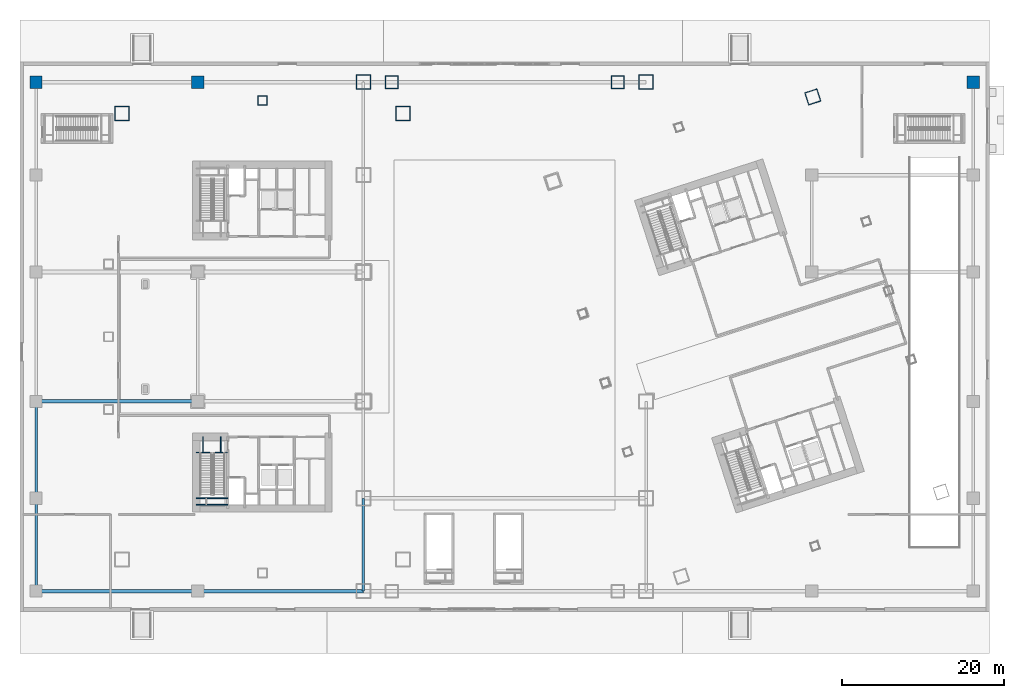
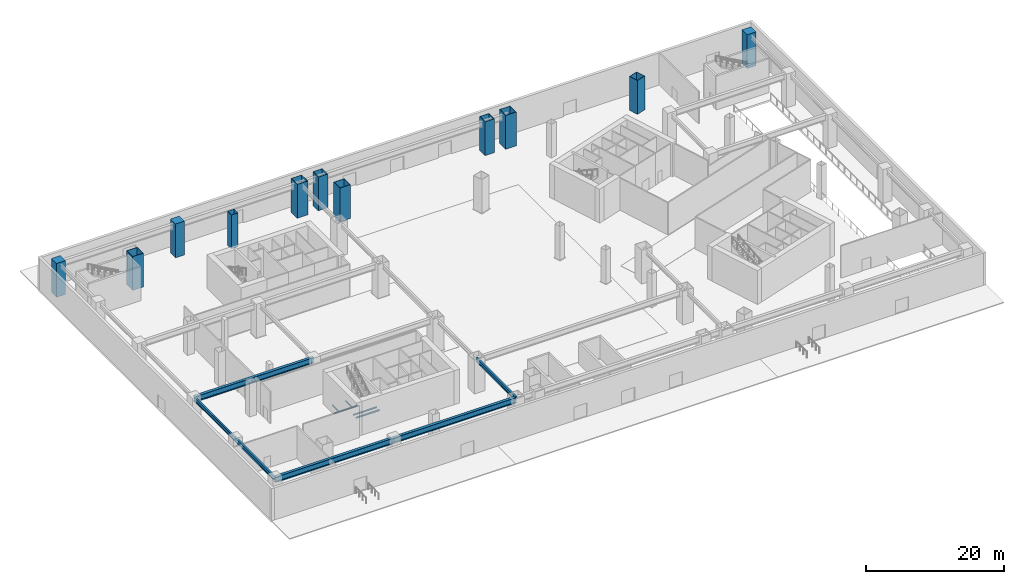
# One storey, part 3 of 31: 11 beams, 11 columns.
"""IFC4 building model written with IfcOpenShell, lengths in metres."""

import ifcopenshell
import ifcopenshell.guid

model = None  # the IFC model being written
_history = None  # IfcOwnerHistory: only IFC2X3 demands one
_inside = {}  # id of a spatial element -> (the spatial element, [elements in it])
_under = {}  # id of a project, library or spatial element -> (it, [spatial elements below it])
_declared = {}  # id of a project -> (the project, [libraries it declares])
_typed = {}  # id of a type object -> (the type object, [elements of that type])
_made_of = {}  # id of a material, layer set ... -> (it, [elements and type objects made of it])


def new_model(schema):
    """Start an empty IFC model of exactly this schema.

    Asked for "IFC4X3", IfcOpenShell would pick the latest addendum, in which some entities
    have other attributes; the version numbers below select the first issue.
    IFC2X3 requires an IfcOwnerHistory on every rooted entity: one is made here for all.
    """
    global model, _history
    if schema == "IFC4X3":
        model = ifcopenshell.file(schema_version=(4, 3, 0, 0))
    else:
        model = ifcopenshell.file(schema=schema)
    _inside.clear()
    _under.clear()
    _declared.clear()
    _typed.clear()
    _made_of.clear()
    _history = None
    if model.schema == "IFC2X3":
        org = make("IfcOrganization", Name="unknown")
        user = make(
            "IfcPersonAndOrganization",
            ThePerson=make("IfcPerson", FamilyName="unknown"),
            TheOrganization=org,
        )
        app = make(
            "IfcApplication",
            ApplicationDeveloper=org,
            Version="unknown",
            ApplicationFullName="unknown",
            ApplicationIdentifier="unknown",
        )
        _history = make(
            "IfcOwnerHistory",
            OwningUser=user,
            OwningApplication=app,
            ChangeAction="ADDED",
            CreationDate=0,
        )
    return model


def make(cls, **values):
    """One entity of the class cls with the attributes given. An attribute that is None is left unset."""
    return model.create_entity(
        cls, **{name: value for name, value in values.items() if value is not None}
    )


def rooted(cls, **values):
    """An entity with a GlobalId (a new one), such as an element, a storey or a relation."""
    return make(cls, GlobalId=ifcopenshell.guid.new(), OwnerHistory=_history, **values)


def si_unit(unit_type, name, prefix=None):
    """IfcSIUnit, for example si_unit("LENGTHUNIT", "METRE", prefix="MILLI")."""
    return make("IfcSIUnit", UnitType=unit_type, Prefix=prefix, Name=name)


def assignment(units):
    """IfcUnitAssignment: the units of a project."""
    return None if units is None else make("IfcUnitAssignment", Units=units)


def point(xyz):
    """IfcCartesianPoint."""
    return None if xyz is None else make("IfcCartesianPoint", Coordinates=xyz)


def direction(xyz):
    """IfcDirection."""
    return None if xyz is None else make("IfcDirection", DirectionRatios=xyz)


def frame(location, z_axis=None, x_axis=None):
    """IfcAxis2Placement3D, a coordinate frame: its origin and axes. An axis left out is left unset."""
    return make(
        "IfcAxis2Placement3D",
        Location=point(location),
        Axis=direction(z_axis),
        RefDirection=direction(x_axis),
    )


def frame_2d(location, x_axis=None):
    """IfcAxis2Placement2D, a coordinate frame in the plane: its origin and x axis."""
    return make(
        "IfcAxis2Placement2D", Location=point(location), RefDirection=direction(x_axis)
    )


def origin():
    """The frame at (0, 0, 0) with its axes left unset."""
    return frame((0.0, 0.0, 0.0))


def origin_2d():
    """The frame at (0, 0) in the plane with its x axis left unset."""
    return frame_2d((0.0, 0.0))


def place(relative_to, where):
    """IfcLocalPlacement: puts the frame where relative to a parent placement (None: the world)."""
    return make(
        "IfcLocalPlacement", PlacementRelTo=relative_to, RelativePlacement=where
    )


def context(
    kind, dimensions, precision=None, world=None, true_north=None, identifier=None
):
    """IfcGeometricRepresentationContext, for example the 3D "Model" context."""
    return make(
        "IfcGeometricRepresentationContext",
        ContextIdentifier=identifier,
        ContextType=kind,
        CoordinateSpaceDimension=dimensions,
        Precision=precision,
        WorldCoordinateSystem=world,
        TrueNorth=true_north,
    )


def subcontext(parent, identifier, kind, view, scale=None):
    """IfcGeometricRepresentationSubContext, for example "Body" below "Model"."""
    return make(
        "IfcGeometricRepresentationSubContext",
        ContextIdentifier=identifier,
        ContextType=kind,
        ParentContext=parent,
        TargetScale=scale,
        TargetView=view,
    )


def project(units=None, contexts=None):
    """IfcProject with its units and contexts."""
    return rooted(
        "IfcProject",
        Name="project",
        RepresentationContexts=contexts,
        UnitsInContext=assignment(units),
    )


def spatial(cls, under=None, at=None, **own):
    """A site, building, storey or space (cls), placed at a placement, below another one or the project."""
    s = rooted(cls, ObjectPlacement=at, **own)
    if under is not None:
        _under.setdefault(under.id(), (under, []))[1].append(s)
    return s


def profile(cls, at=None, kind="AREA", **sizes):
    """A parametric profile (cls). Its sizes go by their IFC names, for example OverallWidth=200.0."""
    return make(cls, ProfileType=kind, Position=at, **sizes)


def rectangle(**sizes):
    """IfcRectangleProfileDef."""
    return profile("IfcRectangleProfileDef", **sizes)


def hollow_rectangle(**sizes):
    """IfcRectangleHollowProfileDef."""
    return profile("IfcRectangleHollowProfileDef", **sizes)


def i_section(**sizes):
    """IfcIShapeProfileDef."""
    return profile("IfcIShapeProfileDef", **sizes)


def extrude(swept, where, along, depth):
    """IfcExtrudedAreaSolid: the profile swept, set in the frame where, extruded along a direction by depth."""
    return make(
        "IfcExtrudedAreaSolid",
        SweptArea=swept,
        Position=where,
        ExtrudedDirection=direction(along),
        Depth=depth,
    )


def shape(context_of_items, identifier, shape_type, items):
    """IfcShapeRepresentation: the items that make up one representation, for example the "Body"."""
    return make(
        "IfcShapeRepresentation",
        ContextOfItems=context_of_items,
        RepresentationIdentifier=identifier,
        RepresentationType=shape_type,
        Items=items,
    )


def material(Name=None, Category=None):
    """IfcMaterial."""
    return make("IfcMaterial", Name=Name, Category=Category)


def material_profile(
    of_material, cross_section, Name=None, Category=None, Priority=None
):
    """IfcMaterialProfile: a cross section and its material."""
    return make(
        "IfcMaterialProfile",
        Name=Name,
        Material=of_material,
        Profile=cross_section,
        Priority=Priority,
        Category=Category,
    )


def profile_set(profiles, Name=None, composite=None):
    """IfcMaterialProfileSet."""
    return make(
        "IfcMaterialProfileSet",
        Name=Name,
        MaterialProfiles=profiles,
        CompositeProfile=composite,
    )


def made_of(thing, what):
    """Note that an element or type object is made of a material, layer set ...; save() writes the relation."""
    if what is not None:
        _made_of.setdefault(what.id(), (what, []))[1].append(thing)
    return thing


def type_object(cls, material=None, **own):
    """A type object (cls), such as IfcWallType, which elements share."""
    return made_of(rooted(cls, **own), material)


def element(
    cls,
    number,
    at=None,
    inside=None,
    cuts=None,
    type_object=None,
    material=None,
    context=None,
    identifier="Body",
    shape_type=None,
    held_by="IfcProductDefinitionShape",
    body=None,
    shapes=None,
    **own,
):
    """One element of the class cls, such as IfcWall. Its Tag is "e" and its number.

    at: its placement. inside: the storey or other place that contains it. cuts: it is an
    opening in that element (IfcRelVoidsElement). A single representation is given by context,
    identifier, shape_type and body (its items); several are given by shapes. held_by: the class
    of the entity that holds the representations. save() writes the other relations.
    """
    e = rooted(cls, Tag="e%d" % number, ObjectPlacement=at, **own)
    if body is not None:
        shapes = [shape(context, identifier, shape_type, body)]
    if shapes is not None:
        e.Representation = make(held_by, Representations=shapes)
    if inside is not None:
        _inside.setdefault(inside.id(), (inside, []))[1].append(e)
    if cuts is not None:
        rooted(
            "IfcRelVoidsElement", RelatingBuildingElement=cuts, RelatedOpeningElement=e
        )
    if type_object is not None:
        _typed.setdefault(type_object.id(), (type_object, []))[1].append(e)
    return made_of(e, material)


def aggregate(whole, parts):
    """IfcRelAggregates: a whole, such as a stair, and the parts it consists of."""
    return rooted("IfcRelAggregates", RelatingObject=whole, RelatedObjects=parts)


def save(model, path):
    """Write the relations noted so far, then the file.

    IfcRelAggregates (storeys below a building ...), IfcRelContainedInSpatialStructure (elements
    in a storey), IfcRelDefinesByType, IfcRelAssociatesMaterial and IfcRelDeclares: one each for
    every whole, place, type object, material and project.
    """
    for whole, parts in _under.values():
        aggregate(whole, parts)
    for where, things in _inside.values():
        rooted(
            "IfcRelContainedInSpatialStructure",
            RelatedElements=things,
            RelatingStructure=where,
        )
    for kind, things in _typed.values():
        rooted("IfcRelDefinesByType", RelatedObjects=things, RelatingType=kind)
    for what, things in _made_of.values():
        rooted("IfcRelAssociatesMaterial", RelatedObjects=things, RelatingMaterial=what)
    for by, libraries in _declared.values():
        rooted("IfcRelDeclares", RelatingContext=by, RelatedDefinitions=libraries)
    model.write(path)


model = new_model("IFC4")

# Units and contexts
model_context = context("Model", 3, precision=1e-05, world=origin(), true_north=direction((0.0, 1.0)))
body_context = subcontext(model_context, "Body", "Model", "MODEL_VIEW")
ifc_project = project(units=[si_unit("LENGTHUNIT", "METRE"), si_unit("AREAUNIT", "SQUARE_METRE"), si_unit("VOLUMEUNIT", "CUBIC_METRE"), si_unit("PLANEANGLEUNIT", "RADIAN"), si_unit("MASSUNIT", "GRAM", prefix="KILO")], contexts=[model_context])

# Site, building, storey
site_placement = place(None, origin())
site = spatial("IfcSite", under=ifc_project, at=site_placement, CompositionType="ELEMENT")
building_placement = place(site_placement, origin())
building = spatial("IfcBuilding", under=site, at=building_placement, Name="Qiaolan Cultural Towers", CompositionType="ELEMENT")
storey_placement = place(building_placement, origin())
storey = spatial("IfcBuildingStorey", under=building, at=storey_placement, Name="L00", CompositionType="ELEMENT", Elevation=0.0)

# Columns
ifc_material_1 = material(Name="Steel Q390GJB", Category="steel")
ifc_material_profile_1 = material_profile(ifc_material_1, hollow_rectangle(XDim=1.14990234375, YDim=1.14990234375, WallThickness=0.0400390625, at=origin_2d()), Name="BOX1150x1150x40")
ifc_profile_set_1 = profile_set([ifc_material_profile_1], Name="Steel Q390GJB")
column_type_1 = type_object("IfcColumnType", Name="COL-BOX1150x1150x40", PredefinedType="COLUMN", material=ifc_profile_set_1)
column_placement = place(storey_placement, frame((30.0, 63.25, 0.0), z_axis=(0.0, 0.0, 1.0), x_axis=(1.0, 0.0, 0.0)))
element("IfcColumn", 1, at=column_placement, inside=storey, type_object=column_type_1, Name="L00 T1 Column PC-N0", PredefinedType="COLUMN", context=body_context, shape_type="SweptSolid", body=[
    extrude(hollow_rectangle(XDim=1.14990234375, YDim=1.14990234375, WallThickness=0.0400390625, at=origin_2d()), origin(), (0.0, 0.0, 1.0), 6.0009765625),
])
ifc_material_2 = material(Name="Steel Q420GJB", Category="steel")
ifc_material_profile_2 = material_profile(ifc_material_2, hollow_rectangle(XDim=1.60009765625, YDim=1.60009765625, WallThickness=0.054931640625, at=origin_2d()), Name="BOX1600x1600x55")
ifc_profile_set_2 = profile_set([ifc_material_profile_2], Name="Steel Q420GJB")
column_type_2 = type_object("IfcColumnType", Name="COL-BOX1600x1600x55", PredefinedType="COLUMN", material=ifc_profile_set_2)
for number, where, z_axis, x_axis, name in (
    (2, (46.0, 65.5, 0.0), (0.0, 0.0, 1.0), (1.0, 0.0, 0.0), "L00 Podium Column PC-MID-46-65"),
    (3, (74.0, 65.5, 0.0), (0.0, 0.0, 1.0), (1.0, 0.0, 0.0), "L00 Podium Column PC-MID-74-65"),
    (4, (98.137451171875, 63.67724609375, 0.0), (0.0, 0.0, 1.0), (0.951056516295, 0.309016994375, 0.0), "L00 T2 Column MC-NE"),
):
    element("IfcColumn", number, at=place(storey_placement, frame(where, z_axis=z_axis, x_axis=x_axis)), inside=storey, type_object=column_type_2, Name=name, PredefinedType="COLUMN", context=body_context, shape_type="SweptSolid", body=[
        extrude(hollow_rectangle(XDim=1.60009765625, YDim=1.60009765625, WallThickness=0.054931640625, at=origin_2d()), origin(), (0.0, 0.0, 1.0), 6.0009765625),
    ])
ifc_material_3 = material(Name="Steel Q420GJB", Category="steel")
ifc_material_profile_3 = material_profile(ifc_material_3, hollow_rectangle(XDim=1.800048828125, YDim=1.800048828125, WallThickness=0.06005859375, at=origin_2d()), Name="BOX1800x1800x60")
ifc_profile_set_3 = profile_set([ifc_material_profile_3], Name="Steel Q420GJB")
column_type_3 = type_object("IfcColumnType", Name="COL-BOX1800x1800x60", PredefinedType="COLUMN", material=ifc_profile_set_3)
for number, where, z_axis, x_axis, name in (
    (5, (42.5, 65.5, 0.0), (0.0, 0.0, 1.0), (1.0, 0.0, 0.0), "L00 Podium Column PC-42-65"),
    (6, (77.5, 65.5, 0.0), (0.0, 0.0, 1.0), (1.0, 0.0, 0.0), "L00 Podium Column PC-77-65"),
    (7, (47.39990234375, 61.60009765625, 0.0), (0.0, 0.0, 1.0), (1.0, 0.0, 0.0), "L00 T1 Column MC-NE"),
    (8, (12.60009765625, 61.60009765625, 0.0), (0.0, 0.0, 1.0), (1.0, 0.0, 0.0), "L00 T1 Column MC-NW"),
):
    element("IfcColumn", number, at=place(storey_placement, frame(where, z_axis=z_axis, x_axis=x_axis)), inside=storey, type_object=column_type_3, Name=name, PredefinedType="COLUMN", context=body_context, shape_type="SweptSolid", body=[
        extrude(hollow_rectangle(XDim=1.800048828125, YDim=1.800048828125, WallThickness=0.06005859375, at=origin_2d()), origin(), (0.0, 0.0, 1.0), 6.0009765625),
    ])
ifc_material_4 = material(Name="Concrete C60", Category="concrete")
ifc_material_profile_4 = material_profile(ifc_material_4, rectangle(XDim=1.5, YDim=1.5, at=origin_2d()), Name="RC1500x1500")
ifc_profile_set_4 = profile_set([ifc_material_profile_4], Name="Concrete C60")
column_type_4 = type_object("IfcColumnType", Name="COL-RC1500x1500", PredefinedType="COLUMN", material=ifc_profile_set_4)
for number, where, z_axis, x_axis, name in (
    (9, (2.0, 65.5, 0.0), (0.0, 0.0, 1.0), (1.0, 0.0, 0.0), "L00 Podium Column PC-2-65"),
    (10, (22.0, 65.5, 0.0), (0.0, 0.0, 1.0), (1.0, 0.0, 0.0), "L00 Podium Column PC-22-65"),
    (11, (118.0, 65.5, 0.0), (0.0, 0.0, 1.0), (1.0, 0.0, 0.0), "L00 Podium Column PC-118-65"),
):
    element("IfcColumn", number, at=place(storey_placement, frame(where, z_axis=z_axis, x_axis=x_axis)), inside=storey, type_object=column_type_4, Name=name, PredefinedType="COLUMN", context=body_context, shape_type="SweptSolid", body=[
        extrude(rectangle(XDim=1.5, YDim=1.5, at=origin_2d()), origin(), (0.0, 0.0, 1.0), 6.0009765625),
    ])

# Beams
ifc_material_5 = material(Name="Steel Q390GJB", Category="steel")
ifc_material_profile_5 = material_profile(ifc_material_5, i_section(OverallWidth=0.449951171875, OverallDepth=1.0, WebThickness=0.02392578125, FlangeThickness=0.0400390625, at=origin_2d()), Name="BH1000x450x24x40")
ifc_profile_set_5 = profile_set([ifc_material_profile_5], Name="Steel Q390GJB")
beam_type_1 = type_object("IfcBeamType", Name="BM-BH1000x450x24x40", PredefinedType="BEAM", material=ifc_profile_set_5)
beam_1_placement = place(storey_placement, frame((2.0, 2.5, 5.199951171875), z_axis=(1.0, 0.0, 0.0), x_axis=(0.0, 1.0, 0.0)))
element("IfcBeam", 12, at=beam_1_placement, inside=storey, type_object=beam_type_1, Name="L00 Podium Primary Girder Y=2.5", PredefinedType="BEAM", context=body_context, shape_type="SweptSolid", body=[
    extrude(i_section(OverallWidth=0.449951171875, OverallDepth=1.0, WebThickness=0.02392578125, FlangeThickness=0.0400390625, at=origin_2d()), origin(), (0.0, 0.0, 1.0), 20.0),
])
beam_2_placement = place(storey_placement, frame((22.0, 2.5, 5.199951171875), z_axis=(1.0, 0.0, 0.0), x_axis=(0.0, 1.0, 0.0)))
element("IfcBeam", 13, at=beam_2_placement, inside=storey, type_object=beam_type_1, Name="L00 Podium Primary Girder Y=2.5", PredefinedType="BEAM", context=body_context, shape_type="SweptSolid", body=[
    extrude(i_section(OverallWidth=0.449951171875, OverallDepth=1.0, WebThickness=0.02392578125, FlangeThickness=0.0400390625, at=origin_2d()), origin(), (0.0, 0.0, 1.0), 20.5),
])
beam_3_placement = place(storey_placement, frame((2.0, 26.0, 5.199951171875), z_axis=(1.0, 0.0, 0.0), x_axis=(0.0, 1.0, 0.0)))
element("IfcBeam", 14, at=beam_3_placement, inside=storey, type_object=beam_type_1, Name="L00 Podium Primary Girder Y=26.0", PredefinedType="BEAM", context=body_context, shape_type="SweptSolid", body=[
    extrude(i_section(OverallWidth=0.449951171875, OverallDepth=1.0, WebThickness=0.02392578125, FlangeThickness=0.0400390625, at=origin_2d()), origin(), (0.0, 0.0, 1.0), 20.0),
])
ifc_material_6 = material(Name="Steel Q355B", Category="steel")
ifc_material_profile_6 = material_profile(ifc_material_6, i_section(OverallWidth=0.300048828125, OverallDepth=0.699951171875, WebThickness=0.012939453125, FlangeThickness=0.02392578125, at=origin_2d()), Name="HN700x300x13x24")
ifc_profile_set_6 = profile_set([ifc_material_profile_6], Name="Steel Q355B")
beam_type_2 = type_object("IfcBeamType", Name="BM-HN700x300x13x24", PredefinedType="BEAM", material=ifc_profile_set_6)
beam_4_placement = place(storey_placement, frame((2.0, 2.5, 5.35009765625), z_axis=(0.0, 1.0, 0.0), x_axis=(-1.0, 0.0, 0.0)))
element("IfcBeam", 15, at=beam_4_placement, inside=storey, type_object=beam_type_2, Name="L00 Podium Transverse Beam X=2.0", PredefinedType="BEAM", context=body_context, shape_type="SweptSolid", body=[
    extrude(i_section(OverallWidth=0.300048828125, OverallDepth=0.699951171875, WebThickness=0.012939453125, FlangeThickness=0.02392578125, at=origin_2d()), origin(), (0.0, 0.0, 1.0), 11.5),
])
beam_5_placement = place(storey_placement, frame((2.0, 14.0, 5.35009765625), z_axis=(0.0, 1.0, 0.0), x_axis=(-1.0, 0.0, 0.0)))
element("IfcBeam", 16, at=beam_5_placement, inside=storey, type_object=beam_type_2, Name="L00 Podium Transverse Beam X=2.0", PredefinedType="BEAM", context=body_context, shape_type="SweptSolid", body=[
    extrude(i_section(OverallWidth=0.300048828125, OverallDepth=0.699951171875, WebThickness=0.012939453125, FlangeThickness=0.02392578125, at=origin_2d()), origin(), (0.0, 0.0, 1.0), 12.0),
])
beam_6_placement = place(storey_placement, frame((42.5, 2.5, 5.35009765625), z_axis=(0.0, 1.0, 0.0), x_axis=(-1.0, 0.0, 0.0)))
element("IfcBeam", 17, at=beam_6_placement, inside=storey, type_object=beam_type_2, Name="L00 Podium Transverse Beam X=42.5", PredefinedType="BEAM", context=body_context, shape_type="SweptSolid", body=[
    extrude(i_section(OverallWidth=0.300048828125, OverallDepth=0.699951171875, WebThickness=0.012939453125, FlangeThickness=0.02392578125, at=origin_2d()), origin(), (0.0, 0.0, 1.0), 11.5),
])
ifc_material_7 = material(Name="Steel Q355B", Category="steel")
ifc_material_profile_7 = material_profile(ifc_material_7, i_section(OverallWidth=0.10009765625, OverallDepth=0.199951171875, WebThickness=0.005615234375, FlangeThickness=0.008056640625, at=origin_2d()), Name="HN200x100x5.5x8")
ifc_profile_set_7 = profile_set([ifc_material_profile_7], Name="Steel Q355B")
beam_type_3 = type_object("IfcBeamType", Name="BM-STTRIM-200", PredefinedType="BEAM", material=ifc_profile_set_7)
beam_7_placement = place(storey_placement, frame((21.800048828125, 19.659912109375, -0.4599609375), z_axis=(1.0, 0.0, 0.0), x_axis=(0.0, 1.0, 0.0)))
element("IfcBeam", 18, at=beam_7_placement, inside=storey, type_object=beam_type_3, Name="L00 ST-W1 Floor Landing Header Beam", PredefinedType="BEAM", context=body_context, shape_type="SweptSolid", body=[
    extrude(i_section(OverallWidth=0.10009765625, OverallDepth=0.199951171875, WebThickness=0.005615234375, FlangeThickness=0.008056640625, at=origin_2d()), origin(), (0.0, 0.0, 1.0), 3.919921875),
])
for number, where, z_axis, x_axis, name in (
    (19, (22.64990234375, 21.60009765625, -0.4599609375), (0.0, -1.0, 0.0), (1.0, 0.0, 0.0), "L00 ST-W1 Floor Landing Stringer 1"),
    (20, (24.85009765625, 21.60009765625, -0.4599609375), (0.0, -1.0, 0.0), (1.0, 0.0, 0.0), "L00 ST-W1 Floor Landing Stringer 2"),
):
    element("IfcBeam", number, at=place(storey_placement, frame(where, z_axis=z_axis, x_axis=x_axis)), inside=storey, type_object=beam_type_3, Name=name, PredefinedType="BEAM", context=body_context, shape_type="SweptSolid", body=[
        extrude(i_section(OverallWidth=0.10009765625, OverallDepth=0.199951171875, WebThickness=0.005615234375, FlangeThickness=0.008056640625, at=origin_2d()), origin(), (0.0, 0.0, 1.0), 1.940185546875),
    ])
for number, where, z_axis, x_axis, name in (
    (21, (21.800048828125, 14.01123046875, 2.699951171875), (1.0, 0.0, 0.0), (0.0, 1.0, 0.0), "L00 ST-W1 Stair Landing Support Beam 1-1"),
    (22, (21.800048828125, 13.179931640625, 2.699951171875), (1.0, 0.0, 0.0), (0.0, 1.0, 0.0), "L00 ST-W1 Stair Landing Support Beam 1-2"),
):
    element("IfcBeam", number, at=place(storey_placement, frame(where, z_axis=z_axis, x_axis=x_axis)), inside=storey, type_object=beam_type_3, Name=name, PredefinedType="BEAM", context=body_context, shape_type="SweptSolid", body=[
        extrude(i_section(OverallWidth=0.10009765625, OverallDepth=0.199951171875, WebThickness=0.005615234375, FlangeThickness=0.008056640625, at=origin_2d()), origin(), (0.0, 0.0, 1.0), 3.919921875),
    ])

save(model, "model.ifc")
